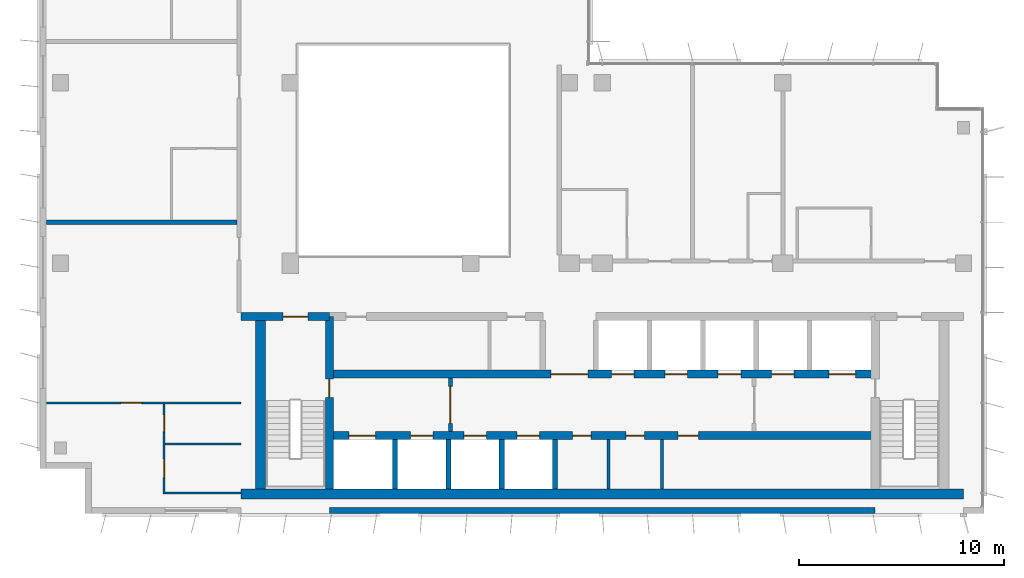
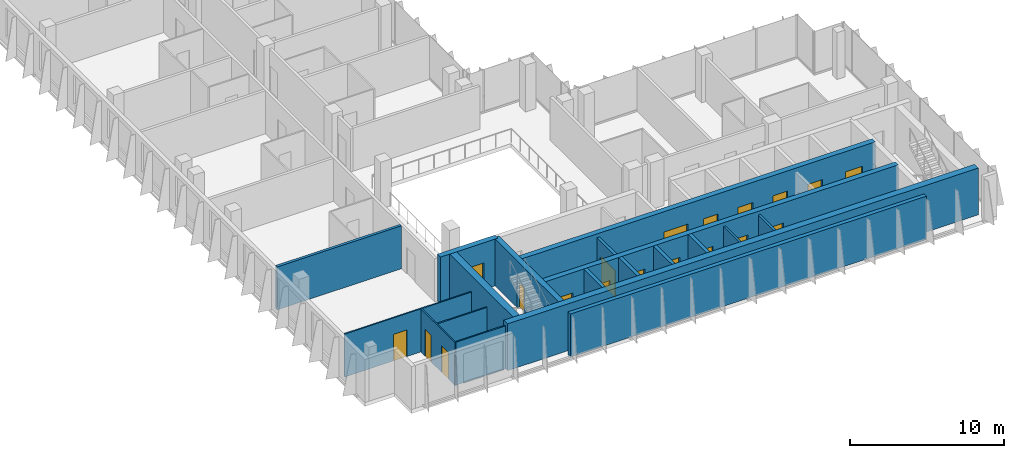
# One storey, part 9 of 16: 19 doors, 19 walls, 19 openings.
"""IFC4 building model written with IfcOpenShell, lengths in metres."""

import ifcopenshell
import ifcopenshell.guid

model = None  # the IFC model being written
_history = None  # IfcOwnerHistory: only IFC2X3 demands one
_inside = {}  # id of a spatial element -> (the spatial element, [elements in it])
_under = {}  # id of a project, library or spatial element -> (it, [spatial elements below it])
_declared = {}  # id of a project -> (the project, [libraries it declares])
_typed = {}  # id of a type object -> (the type object, [elements of that type])
_made_of = {}  # id of a material, layer set ... -> (it, [elements and type objects made of it])


def new_model(schema):
    """Start an empty IFC model of exactly this schema.

    Asked for "IFC4X3", IfcOpenShell would pick the latest addendum, in which some entities
    have other attributes; the version numbers below select the first issue.
    IFC2X3 requires an IfcOwnerHistory on every rooted entity: one is made here for all.
    """
    global model, _history
    if schema == "IFC4X3":
        model = ifcopenshell.file(schema_version=(4, 3, 0, 0))
    else:
        model = ifcopenshell.file(schema=schema)
    _inside.clear()
    _under.clear()
    _declared.clear()
    _typed.clear()
    _made_of.clear()
    _history = None
    if model.schema == "IFC2X3":
        org = make("IfcOrganization", Name="unknown")
        user = make(
            "IfcPersonAndOrganization",
            ThePerson=make("IfcPerson", FamilyName="unknown"),
            TheOrganization=org,
        )
        app = make(
            "IfcApplication",
            ApplicationDeveloper=org,
            Version="unknown",
            ApplicationFullName="unknown",
            ApplicationIdentifier="unknown",
        )
        _history = make(
            "IfcOwnerHistory",
            OwningUser=user,
            OwningApplication=app,
            ChangeAction="ADDED",
            CreationDate=0,
        )
    return model


def make(cls, **values):
    """One entity of the class cls with the attributes given. An attribute that is None is left unset."""
    return model.create_entity(
        cls, **{name: value for name, value in values.items() if value is not None}
    )


def rooted(cls, **values):
    """An entity with a GlobalId (a new one), such as an element, a storey or a relation."""
    return make(cls, GlobalId=ifcopenshell.guid.new(), OwnerHistory=_history, **values)


def si_unit(unit_type, name, prefix=None):
    """IfcSIUnit, for example si_unit("LENGTHUNIT", "METRE", prefix="MILLI")."""
    return make("IfcSIUnit", UnitType=unit_type, Prefix=prefix, Name=name)


def assignment(units):
    """IfcUnitAssignment: the units of a project."""
    return None if units is None else make("IfcUnitAssignment", Units=units)


def point(xyz):
    """IfcCartesianPoint."""
    return None if xyz is None else make("IfcCartesianPoint", Coordinates=xyz)


def direction(xyz):
    """IfcDirection."""
    return None if xyz is None else make("IfcDirection", DirectionRatios=xyz)


def frame(location, z_axis=None, x_axis=None):
    """IfcAxis2Placement3D, a coordinate frame: its origin and axes. An axis left out is left unset."""
    return make(
        "IfcAxis2Placement3D",
        Location=point(location),
        Axis=direction(z_axis),
        RefDirection=direction(x_axis),
    )


def frame_2d(location, x_axis=None):
    """IfcAxis2Placement2D, a coordinate frame in the plane: its origin and x axis."""
    return make(
        "IfcAxis2Placement2D", Location=point(location), RefDirection=direction(x_axis)
    )


def origin():
    """The frame at (0, 0, 0) with its axes left unset."""
    return frame((0.0, 0.0, 0.0))


def place(relative_to, where):
    """IfcLocalPlacement: puts the frame where relative to a parent placement (None: the world)."""
    return make(
        "IfcLocalPlacement", PlacementRelTo=relative_to, RelativePlacement=where
    )


def context(
    kind, dimensions, precision=None, world=None, true_north=None, identifier=None
):
    """IfcGeometricRepresentationContext, for example the 3D "Model" context."""
    return make(
        "IfcGeometricRepresentationContext",
        ContextIdentifier=identifier,
        ContextType=kind,
        CoordinateSpaceDimension=dimensions,
        Precision=precision,
        WorldCoordinateSystem=world,
        TrueNorth=true_north,
    )


def subcontext(parent, identifier, kind, view, scale=None):
    """IfcGeometricRepresentationSubContext, for example "Body" below "Model"."""
    return make(
        "IfcGeometricRepresentationSubContext",
        ContextIdentifier=identifier,
        ContextType=kind,
        ParentContext=parent,
        TargetScale=scale,
        TargetView=view,
    )


def project(units=None, contexts=None):
    """IfcProject with its units and contexts."""
    return rooted(
        "IfcProject",
        Name="project",
        RepresentationContexts=contexts,
        UnitsInContext=assignment(units),
    )


def spatial(cls, under=None, at=None, **own):
    """A site, building, storey or space (cls), placed at a placement, below another one or the project."""
    s = rooted(cls, ObjectPlacement=at, **own)
    if under is not None:
        _under.setdefault(under.id(), (under, []))[1].append(s)
    return s


def profile(cls, at=None, kind="AREA", **sizes):
    """A parametric profile (cls). Its sizes go by their IFC names, for example OverallWidth=200.0."""
    return make(cls, ProfileType=kind, Position=at, **sizes)


def rectangle(**sizes):
    """IfcRectangleProfileDef."""
    return profile("IfcRectangleProfileDef", **sizes)


def extrude(swept, where, along, depth):
    """IfcExtrudedAreaSolid: the profile swept, set in the frame where, extruded along a direction by depth."""
    return make(
        "IfcExtrudedAreaSolid",
        SweptArea=swept,
        Position=where,
        ExtrudedDirection=direction(along),
        Depth=depth,
    )


def shape(context_of_items, identifier, shape_type, items):
    """IfcShapeRepresentation: the items that make up one representation, for example the "Body"."""
    return make(
        "IfcShapeRepresentation",
        ContextOfItems=context_of_items,
        RepresentationIdentifier=identifier,
        RepresentationType=shape_type,
        Items=items,
    )


def material(Name=None, Category=None):
    """IfcMaterial."""
    return make("IfcMaterial", Name=Name, Category=Category)


def layer(
    of_material, thickness, ventilated=None, Name=None, Category=None, Priority=None
):
    """IfcMaterialLayer: one layer of a wall or slab, of a material (None: an air gap)."""
    return make(
        "IfcMaterialLayer",
        Material=of_material,
        LayerThickness=thickness,
        IsVentilated=ventilated,
        Name=Name,
        Category=Category,
        Priority=Priority,
    )


def layer_set(layers, Name=None):
    """IfcMaterialLayerSet."""
    return make("IfcMaterialLayerSet", MaterialLayers=layers, LayerSetName=Name)


def made_of(thing, what):
    """Note that an element or type object is made of a material, layer set ...; save() writes the relation."""
    if what is not None:
        _made_of.setdefault(what.id(), (what, []))[1].append(thing)
    return thing


def type_object(cls, material=None, **own):
    """A type object (cls), such as IfcWallType, which elements share."""
    return made_of(rooted(cls, **own), material)


def element(
    cls,
    number,
    at=None,
    inside=None,
    cuts=None,
    type_object=None,
    material=None,
    context=None,
    identifier="Body",
    shape_type=None,
    held_by="IfcProductDefinitionShape",
    body=None,
    shapes=None,
    **own,
):
    """One element of the class cls, such as IfcWall. Its Tag is "e" and its number.

    at: its placement. inside: the storey or other place that contains it. cuts: it is an
    opening in that element (IfcRelVoidsElement). A single representation is given by context,
    identifier, shape_type and body (its items); several are given by shapes. held_by: the class
    of the entity that holds the representations. save() writes the other relations.
    """
    e = rooted(cls, Tag="e%d" % number, ObjectPlacement=at, **own)
    if body is not None:
        shapes = [shape(context, identifier, shape_type, body)]
    if shapes is not None:
        e.Representation = make(held_by, Representations=shapes)
    if inside is not None:
        _inside.setdefault(inside.id(), (inside, []))[1].append(e)
    if cuts is not None:
        rooted(
            "IfcRelVoidsElement", RelatingBuildingElement=cuts, RelatedOpeningElement=e
        )
    if type_object is not None:
        _typed.setdefault(type_object.id(), (type_object, []))[1].append(e)
    return made_of(e, material)


def fill(opening, filler):
    """IfcRelFillsElement: the door or window that sits in an opening."""
    return rooted(
        "IfcRelFillsElement",
        RelatingOpeningElement=opening,
        RelatedBuildingElement=filler,
    )


def aggregate(whole, parts):
    """IfcRelAggregates: a whole, such as a stair, and the parts it consists of."""
    return rooted("IfcRelAggregates", RelatingObject=whole, RelatedObjects=parts)


def save(model, path):
    """Write the relations noted so far, then the file.

    IfcRelAggregates (storeys below a building ...), IfcRelContainedInSpatialStructure (elements
    in a storey), IfcRelDefinesByType, IfcRelAssociatesMaterial and IfcRelDeclares: one each for
    every whole, place, type object, material and project.
    """
    for whole, parts in _under.values():
        aggregate(whole, parts)
    for where, things in _inside.values():
        rooted(
            "IfcRelContainedInSpatialStructure",
            RelatedElements=things,
            RelatingStructure=where,
        )
    for kind, things in _typed.values():
        rooted("IfcRelDefinesByType", RelatedObjects=things, RelatingType=kind)
    for what, things in _made_of.values():
        rooted("IfcRelAssociatesMaterial", RelatedObjects=things, RelatingMaterial=what)
    for by, libraries in _declared.values():
        rooted("IfcRelDeclares", RelatingContext=by, RelatedDefinitions=libraries)
    model.write(path)


model = new_model("IFC4")

# Units and contexts
model_context = context("Model", 3, precision=1e-05, world=origin(), true_north=direction((0.0, 1.0)))
body_context = subcontext(model_context, "Body", "Model", "MODEL_VIEW")
ifc_project = project(units=[si_unit("LENGTHUNIT", "METRE"), si_unit("AREAUNIT", "SQUARE_METRE"), si_unit("VOLUMEUNIT", "CUBIC_METRE"), si_unit("PLANEANGLEUNIT", "RADIAN"), si_unit("MASSUNIT", "GRAM", prefix="KILO")], contexts=[model_context])

# Site, building, storey
site_placement = place(None, origin())
site = spatial("IfcSite", under=ifc_project, at=site_placement, CompositionType="ELEMENT")
building_placement = place(site_placement, origin())
building = spatial("IfcBuilding", under=site, at=building_placement, Name="Kemantara Hotel Tower", CompositionType="ELEMENT")
storey_placement = place(building_placement, frame((0.0, 0.0, 272.199951171875)))
storey = spatial("IfcBuildingStorey", under=building, at=storey_placement, Name="L68", CompositionType="ELEMENT", Elevation=272.199951171875)

# Walls
ifc_material_1 = material(Name="Bronze anodised aluminium cladding on insulated steel stud wall", Category="steel")
ifc_layer_1 = layer(ifc_material_1, 0.300048828125)
ifc_layer_set_1 = layer_set([ifc_layer_1], Name="Bronze anodised aluminium cladding on insulated steel stud wall")
wall_type_1 = type_object("IfcWallType", Name="BRONZE METAL-CLAD EXTERNAL WALL 300", PredefinedType="STANDARD", material=ifc_layer_set_1)
wall_1_placement = place(storey_placement, frame((14.10009765625, 0.14990234375, 0.0), z_axis=(0.0, 0.0, 1.0), x_axis=(1.0, 0.0, 0.0)))
element("IfcWall", 1, at=wall_1_placement, inside=storey, type_object=wall_type_1, Name="EXTERNAL WALL L68 T4-R08-2", PredefinedType="STANDARD", context=body_context, shape_type="SweptSolid", body=[
    extrude(rectangle(XDim=26.599853515625, YDim=0.300048828125, at=frame_2d((13.2998046875, 0.0))), origin(), (0.0, 0.0, 1.0), 3.400146484375),
])
ifc_material_2 = material(Name="Concrete fc 50 MPa", Category="concrete")
ifc_layer_2 = layer(ifc_material_2, 0.25)
ifc_layer_set_2 = layer_set([ifc_layer_2], Name="Concrete fc 50 MPa")
wall_type_2 = type_object("IfcWallType", Name="CORE WALL 250 FC50", PredefinedType="SHEAR", material=ifc_layer_set_2)
for number, where, z_axis, x_axis, name in (
    (2, (17.300048828125, 1.199951171875, 0.0), (0.0, 0.0, 1.0), (0.0, 1.0, 0.0), "CORE WALL CW-DS17.3"),
    (3, (19.89990234375, 1.199951171875, 0.0), (0.0, 0.0, 1.0), (0.0, 1.0, 0.0), "CORE WALL CW-DS19.9"),
    (4, (22.5, 1.199951171875, 0.0), (0.0, 0.0, 1.0), (0.0, 1.0, 0.0), "CORE WALL CW-DS22.5"),
    (5, (25.10009765625, 1.199951171875, 0.0), (0.0, 0.0, 1.0), (0.0, 1.0, 0.0), "CORE WALL CW-DS25.1"),
):
    element("IfcWall", number, at=place(storey_placement, frame(where, z_axis=z_axis, x_axis=x_axis)), inside=storey, type_object=wall_type_2, Name=name, PredefinedType="SHEAR", context=body_context, shape_type="SweptSolid", body=[
        extrude(rectangle(XDim=2.400146484375, YDim=0.25, at=frame_2d((1.2001953125, 0.0))), origin(), (0.0, 0.0, 1.0), 3.699951171875),
    ])

# Wall, opening, door
ifc_layer_3 = layer(ifc_material_2, 0.39990234375)
ifc_layer_set_3 = layer_set([ifc_layer_3], Name="Concrete fc 50 MPa")
wall_type_3 = type_object("IfcWallType", Name="CORE WALL 400 FC50", PredefinedType="SHEAR", material=ifc_layer_set_3)
wall_2_placement = place(storey_placement, frame((9.800048828125, 9.60009765625, 0.0), z_axis=(0.0, 0.0, 1.0), x_axis=(1.0, 0.0, 0.0)))
wall_2 = element("IfcWall", 6, at=wall_2_placement, inside=storey, type_object=wall_type_3, Name="CORE WALL CW-N1", PredefinedType="SHEAR", context=body_context, shape_type="SweptSolid", body=[
    extrude(rectangle(XDim=4.300048828125, YDim=0.39990234375, at=frame_2d((2.14990234375, 0.0))), origin(), (0.0, 0.0, 1.0), 3.699951171875),
])
opening_1_placement = place(wall_2_placement, frame((2.050048828125, 0.0, 0.0)))
opening_1 = element("IfcOpeningElement", 7, at=opening_1_placement, cuts=wall_2, Name="Opening C40-ST1-C", PredefinedType="OPENING", context=body_context, shape_type="SweptSolid", body=[
    extrude(rectangle(XDim=1.199951171875, YDim=2.10009765625, at=frame_2d((0.60009765625, 1.050048828125))), frame((0.0, 0.2099609375, 0.0), z_axis=(0.0, -1.0, 0.0), x_axis=(1.0, 0.0, 0.0)), (0.0, 0.0, 1.0), 0.419921875),
])
ifc_material_3 = material(Name="Steel fire door", Category="steel")
door_type_1 = type_object("IfcDoorType", Name="Fire door FD90 1200 x 2100", OperationType="NOTDEFINED", PredefinedType="DOOR", material=ifc_material_3)
door_1_placement = place(opening_1_placement, frame((1.199951171875, 0.0, 0.0), z_axis=(0.0, 0.0, 1.0), x_axis=(-1.0, 0.0, 0.0)))
door_1 = element("IfcDoor", 8, at=door_1_placement, inside=storey, type_object=door_type_1, Name="Stair ST1 door to corridor", OperationType="SINGLE_SWING_LEFT", OverallHeight=2.10009765625, OverallWidth=1.199951171875, PredefinedType="DOOR", context=body_context, shape_type="SweptSolid", body=[
    extrude(rectangle(XDim=1.199951171875, YDim=2.10009765625, at=frame_2d((0.60009765625, 1.050048828125))), frame((0.0, 0.02490234375, 0.0), z_axis=(0.0, -1.0, 0.0), x_axis=(1.0, 0.0, 0.0)), (0.0, 0.0, 1.0), 0.050048828125),
])
fill(opening_1, door_1)

# Wall, openings, doors
wall_3_placement = place(storey_placement, frame((14.10009765625, 3.800048828125, 0.0), z_axis=(0.0, 0.0, 1.0), x_axis=(1.0, 0.0, 0.0)))
wall_3 = element("IfcWall", 9, at=wall_3_placement, inside=storey, type_object=wall_type_3, Name="CORE WALL CW-L1", PredefinedType="SHEAR", context=body_context, shape_type="SweptSolid", body=[
    extrude(rectangle(XDim=26.599853515625, YDim=0.39990234375, at=frame_2d((13.2998046875, 0.0))), origin(), (0.0, 0.0, 1.0), 3.699951171875),
])
opening_2_placement = place(wall_3_placement, frame((0.949951171875, 0.0, 0.0)))
opening_2 = element("IfcOpeningElement", 10, at=opening_2_placement, cuts=wall_3, Name="Opening C40-LD-FF1", PredefinedType="OPENING", context=body_context, shape_type="SweptSolid", body=[
    extrude(rectangle(XDim=1.300048828125, YDim=2.10009765625, at=frame_2d((0.64990234375, 1.050048828125))), frame((0.0, 0.2099609375, 0.0), z_axis=(0.0, -1.0, 0.0), x_axis=(1.0, 0.0, 0.0)), (0.0, 0.0, 1.0), 0.419921875),
])
opening_3_placement = place(wall_3_placement, frame((3.949951171875, 0.0, 0.0)))
opening_3 = element("IfcOpeningElement", 11, at=opening_3_placement, cuts=wall_3, Name="Opening C40-LD-SV1", PredefinedType="OPENING", context=body_context, shape_type="SweptSolid", body=[
    extrude(rectangle(XDim=1.10009765625, YDim=2.10009765625, at=frame_2d((0.550048828125, 1.050048828125))), frame((0.0, 0.2099609375, 0.0), z_axis=(0.0, -1.0, 0.0), x_axis=(1.0, 0.0, 0.0)), (0.0, 0.0, 1.0), 0.419921875),
])
opening_4_placement = place(wall_3_placement, frame((6.550048828125, 0.0, 0.0)))
opening_4 = element("IfcOpeningElement", 12, at=opening_4_placement, cuts=wall_3, Name="Opening C40-LD-SV2", PredefinedType="OPENING", context=body_context, shape_type="SweptSolid", body=[
    extrude(rectangle(XDim=1.10009765625, YDim=2.10009765625, at=frame_2d((0.550048828125, 1.050048828125))), frame((0.0, 0.2099609375, 0.0), z_axis=(0.0, -1.0, 0.0), x_axis=(1.0, 0.0, 0.0)), (0.0, 0.0, 1.0), 0.419921875),
])
opening_5_placement = place(wall_3_placement, frame((9.14990234375, 0.0, 0.0)))
opening_5 = element("IfcOpeningElement", 13, at=opening_5_placement, cuts=wall_3, Name="Opening C40-LD-SV3", PredefinedType="OPENING", context=body_context, shape_type="SweptSolid", body=[
    extrude(rectangle(XDim=1.10009765625, YDim=2.10009765625, at=frame_2d((0.550048828125, 1.050048828125))), frame((0.0, 0.2099609375, 0.0), z_axis=(0.0, -1.0, 0.0), x_axis=(1.0, 0.0, 0.0)), (0.0, 0.0, 1.0), 0.419921875),
])
opening_6_placement = place(wall_3_placement, frame((11.85009765625, 0.0, 0.0)))
opening_6 = element("IfcOpeningElement", 14, at=opening_6_placement, cuts=wall_3, Name="Opening C40-R-SM1", PredefinedType="OPENING", context=body_context, shape_type="SweptSolid", body=[
    extrude(rectangle(XDim=0.89990234375, YDim=2.10009765625, at=frame_2d((0.449951171875, 1.050048828125))), frame((0.0, 0.2099609375, 0.0), z_axis=(0.0, -1.0, 0.0), x_axis=(1.0, 0.0, 0.0)), (0.0, 0.0, 1.0), 0.419921875),
])
opening_7_placement = place(wall_3_placement, frame((14.449951171875, 0.0, 0.0)))
opening_7 = element("IfcOpeningElement", 15, at=opening_7_placement, cuts=wall_3, Name="Opening C40-R-SM2", PredefinedType="OPENING", context=body_context, shape_type="SweptSolid", body=[
    extrude(rectangle(XDim=0.89990234375, YDim=2.10009765625, at=frame_2d((0.449951171875, 1.050048828125))), frame((0.0, 0.2099609375, 0.0), z_axis=(0.0, -1.0, 0.0), x_axis=(1.0, 0.0, 0.0)), (0.0, 0.0, 1.0), 0.419921875),
])
opening_8_placement = place(wall_3_placement, frame((17.0, 0.0, 0.0)))
opening_8 = element("IfcOpeningElement", 16, at=opening_8_placement, cuts=wall_3, Name="Opening C40-R-SM3", PredefinedType="OPENING", context=body_context, shape_type="SweptSolid", body=[
    extrude(rectangle(XDim=1.0, YDim=2.10009765625, at=frame_2d((0.5, 1.050048828125))), frame((0.0, 0.2099609375, 0.0), z_axis=(0.0, -1.0, 0.0), x_axis=(1.0, 0.0, 0.0)), (0.0, 0.0, 1.0), 0.419921875),
])
door_type_2 = type_object("IfcDoorType", Name="Fire door FD30S 1000 x 2100", OperationType="NOTDEFINED", PredefinedType="DOOR", material=ifc_material_3)
door_2_placement = place(opening_8_placement, frame((1.0, 0.0, 0.0), z_axis=(0.0, 0.0, 1.0), x_axis=(-1.0, 0.0, 0.0)))
door_2 = element("IfcDoor", 17, at=door_2_placement, inside=storey, type_object=door_type_2, Name="Guest Pantry door", OperationType="SINGLE_SWING_LEFT", OverallHeight=2.10009765625, OverallWidth=1.0, PredefinedType="DOOR", context=body_context, shape_type="SweptSolid", body=[
    extrude(rectangle(XDim=1.0, YDim=2.10009765625, at=frame_2d((0.5, 1.050048828125))), frame((0.0, 0.02490234375, 0.0), z_axis=(0.0, -1.0, 0.0), x_axis=(1.0, 0.0, 0.0)), (0.0, 0.0, 1.0), 0.050048828125),
])
fill(opening_8, door_2)
door_type_3 = type_object("IfcDoorType", Name="Fire door FD30S 900 x 2100", OperationType="NOTDEFINED", PredefinedType="DOOR", material=ifc_material_3)
door_3_placement = place(opening_7_placement, frame((0.89990234375, 0.0, 0.0), z_axis=(0.0, 0.0, 1.0), x_axis=(-1.0, 0.0, 0.0)))
door_3 = element("IfcDoor", 18, at=door_3_placement, inside=storey, type_object=door_type_3, Name="Staff Wc door", OperationType="SINGLE_SWING_LEFT", OverallHeight=2.10009765625, OverallWidth=0.89990234375, PredefinedType="DOOR", context=body_context, shape_type="SweptSolid", body=[
    extrude(rectangle(XDim=0.89990234375, YDim=2.10009765625, at=frame_2d((0.449951171875, 1.050048828125))), frame((0.0, 0.02490234375, 0.0), z_axis=(0.0, -1.0, 0.0), x_axis=(1.0, 0.0, 0.0)), (0.0, 0.0, 1.0), 0.050048828125),
])
fill(opening_7, door_3)
door_type_4 = type_object("IfcDoorType", Name="Fire door FD60 900 x 2100", OperationType="NOTDEFINED", PredefinedType="DOOR", material=ifc_material_3)
door_4_placement = place(opening_6_placement, frame((0.89990234375, 0.0, 0.0), z_axis=(0.0, 0.0, 1.0), x_axis=(-1.0, 0.0, 0.0)))
door_4 = element("IfcDoor", 19, at=door_4_placement, inside=storey, type_object=door_type_4, Name="Electrical Riser Room door", OperationType="SINGLE_SWING_RIGHT", OverallHeight=2.10009765625, OverallWidth=0.89990234375, PredefinedType="DOOR", context=body_context, shape_type="SweptSolid", body=[
    extrude(rectangle(XDim=0.89990234375, YDim=2.10009765625, at=frame_2d((0.449951171875, 1.050048828125))), frame((0.0, 0.02490234375, 0.0), z_axis=(0.0, -1.0, 0.0), x_axis=(1.0, 0.0, 0.0)), (0.0, 0.0, 1.0), 0.050048828125),
])
fill(opening_6, door_4)
ifc_material_4 = material(Name="Stainless steel lift door", Category="steel")
door_type_5 = type_object("IfcDoorType", Name="Lift landing door 1100 x 2100 FD60", OperationType="DOUBLE_DOOR_SLIDING", PredefinedType="DOOR", material=ifc_material_4)
door_5_placement = place(opening_3_placement, origin())
door_5 = element("IfcDoor", 20, at=door_5_placement, inside=storey, type_object=door_type_5, Name="Lift SV1 landing door", OperationType="DOUBLE_DOOR_SLIDING", OverallHeight=2.10009765625, OverallWidth=1.10009765625, PredefinedType="DOOR", context=body_context, shape_type="SweptSolid", body=[
    extrude(rectangle(XDim=1.10009765625, YDim=2.10009765625, at=frame_2d((0.550048828125, 1.050048828125))), frame((0.0, 0.02490234375, 0.0), z_axis=(0.0, -1.0, 0.0), x_axis=(1.0, 0.0, 0.0)), (0.0, 0.0, 1.0), 0.050048828125),
])
fill(opening_3, door_5)
door_6_placement = place(opening_4_placement, origin())
door_6 = element("IfcDoor", 21, at=door_6_placement, inside=storey, type_object=door_type_5, Name="Lift SV2 landing door", OperationType="DOUBLE_DOOR_SLIDING", OverallHeight=2.10009765625, OverallWidth=1.10009765625, PredefinedType="DOOR", context=body_context, shape_type="SweptSolid", body=[
    extrude(rectangle(XDim=1.10009765625, YDim=2.10009765625, at=frame_2d((0.550048828125, 1.050048828125))), frame((0.0, 0.02490234375, 0.0), z_axis=(0.0, -1.0, 0.0), x_axis=(1.0, 0.0, 0.0)), (0.0, 0.0, 1.0), 0.050048828125),
])
fill(opening_4, door_6)
door_7_placement = place(opening_5_placement, origin())
door_7 = element("IfcDoor", 22, at=door_7_placement, inside=storey, type_object=door_type_5, Name="Lift SV3 landing door", OperationType="DOUBLE_DOOR_SLIDING", OverallHeight=2.10009765625, OverallWidth=1.10009765625, PredefinedType="DOOR", context=body_context, shape_type="SweptSolid", body=[
    extrude(rectangle(XDim=1.10009765625, YDim=2.10009765625, at=frame_2d((0.550048828125, 1.050048828125))), frame((0.0, 0.02490234375, 0.0), z_axis=(0.0, -1.0, 0.0), x_axis=(1.0, 0.0, 0.0)), (0.0, 0.0, 1.0), 0.050048828125),
])
fill(opening_5, door_7)
door_type_6 = type_object("IfcDoorType", Name="Lift landing door 1300 x 2100 FD90", OperationType="DOUBLE_DOOR_SLIDING", PredefinedType="DOOR", material=ifc_material_4)
door_8_placement = place(opening_2_placement, origin())
door_8 = element("IfcDoor", 23, at=door_8_placement, inside=storey, type_object=door_type_6, Name="Lift FF1 landing door", OperationType="DOUBLE_DOOR_SLIDING", OverallHeight=2.10009765625, OverallWidth=1.300048828125, PredefinedType="DOOR", context=body_context, shape_type="SweptSolid", body=[
    extrude(rectangle(XDim=1.300048828125, YDim=2.10009765625, at=frame_2d((0.64990234375, 1.050048828125))), frame((0.0, 0.02490234375, 0.0), z_axis=(0.0, -1.0, 0.0), x_axis=(1.0, 0.0, 0.0)), (0.0, 0.0, 1.0), 0.050048828125),
])
fill(opening_2, door_8)

wall_4_placement = place(storey_placement, frame((14.10009765625, 6.800048828125, 0.0), z_axis=(0.0, 0.0, 1.0), x_axis=(1.0, 0.0, 0.0)))
wall_4 = element("IfcWall", 24, at=wall_4_placement, inside=storey, type_object=wall_type_3, Name="CORE WALL CW-L2", PredefinedType="SHEAR", context=body_context, shape_type="SweptSolid", body=[
    extrude(rectangle(XDim=26.599853515625, YDim=0.39990234375, at=frame_2d((13.2998046875, 0.0))), origin(), (0.0, 0.0, 1.0), 3.699951171875),
])
opening_9_placement = place(wall_4_placement, frame((10.800048828125, 0.0, 0.0)))
opening_9 = element("IfcOpeningElement", 25, at=opening_9_placement, cuts=wall_4, Name="Opening C40-VL", PredefinedType="OPENING", context=body_context, shape_type="SweptSolid", body=[
    extrude(rectangle(XDim=1.800048828125, YDim=2.10009765625, at=frame_2d((0.89990234375, 1.050048828125))), frame((0.0, 0.2099609375, 0.0), z_axis=(0.0, -1.0, 0.0), x_axis=(1.0, 0.0, 0.0)), (0.0, 0.0, 1.0), 0.419921875),
])
opening_10_placement = place(wall_4_placement, frame((13.75, 0.0, 0.0)))
opening_10 = element("IfcOpeningElement", 26, at=opening_10_placement, cuts=wall_4, Name="Opening C40-LD-HR1", PredefinedType="OPENING", context=body_context, shape_type="SweptSolid", body=[
    extrude(rectangle(XDim=1.10009765625, YDim=2.10009765625, at=frame_2d((0.550048828125, 1.050048828125))), frame((0.0, 0.2099609375, 0.0), z_axis=(0.0, -1.0, 0.0), x_axis=(1.0, 0.0, 0.0)), (0.0, 0.0, 1.0), 0.419921875),
])
opening_11_placement = place(wall_4_placement, frame((16.35009765625, 0.0, 0.0)))
opening_11 = element("IfcOpeningElement", 27, at=opening_11_placement, cuts=wall_4, Name="Opening C40-LD-HR2", PredefinedType="OPENING", context=body_context, shape_type="SweptSolid", body=[
    extrude(rectangle(XDim=1.10009765625, YDim=2.10009765625, at=frame_2d((0.550048828125, 1.050048828125))), frame((0.0, 0.2099609375, 0.0), z_axis=(0.0, -1.0, 0.0), x_axis=(1.0, 0.0, 0.0)), (0.0, 0.0, 1.0), 0.419921875),
])
opening_12_placement = place(wall_4_placement, frame((18.949951171875, 0.0, 0.0)))
opening_12 = element("IfcOpeningElement", 28, at=opening_12_placement, cuts=wall_4, Name="Opening C40-LD-HR3", PredefinedType="OPENING", context=body_context, shape_type="SweptSolid", body=[
    extrude(rectangle(XDim=1.10009765625, YDim=2.10009765625, at=frame_2d((0.550048828125, 1.050048828125))), frame((0.0, 0.2099609375, 0.0), z_axis=(0.0, -1.0, 0.0), x_axis=(1.0, 0.0, 0.0)), (0.0, 0.0, 1.0), 0.419921875),
])
opening_13_placement = place(wall_4_placement, frame((21.550048828125, 0.0, 0.0)))
opening_13 = element("IfcOpeningElement", 29, at=opening_13_placement, cuts=wall_4, Name="Opening C40-LD-HR4", PredefinedType="OPENING", context=body_context, shape_type="SweptSolid", body=[
    extrude(rectangle(XDim=1.10009765625, YDim=2.10009765625, at=frame_2d((0.550048828125, 1.050048828125))), frame((0.0, 0.2099609375, 0.0), z_axis=(0.0, -1.0, 0.0), x_axis=(1.0, 0.0, 0.0)), (0.0, 0.0, 1.0), 0.419921875),
])
opening_14_placement = place(wall_4_placement, frame((24.35009765625, 0.0, 0.0)))
opening_14 = element("IfcOpeningElement", 30, at=opening_14_placement, cuts=wall_4, Name="Opening C40-LD-FF2", PredefinedType="OPENING", context=body_context, shape_type="SweptSolid", body=[
    extrude(rectangle(XDim=1.300048828125, YDim=2.10009765625, at=frame_2d((0.64990234375, 1.050048828125))), frame((0.0, 0.2099609375, 0.0), z_axis=(0.0, -1.0, 0.0), x_axis=(1.0, 0.0, 0.0)), (0.0, 0.0, 1.0), 0.419921875),
])
door_type_7 = type_object("IfcDoorType", Name="Fire door pair FD60 1800 x 2100", OperationType="DOUBLE_DOOR_SINGLE_SWING", PredefinedType="DOOR", material=ifc_material_3)
door_9_placement = place(opening_9_placement, frame((1.800048828125, 0.0, 0.0), z_axis=(0.0, 0.0, 1.0), x_axis=(-1.0, 0.0, 0.0)))
door_9 = element("IfcDoor", 31, at=door_9_placement, inside=storey, type_object=door_type_7, Name="Lift lobby entry door", OperationType="DOUBLE_DOOR_SINGLE_SWING", OverallHeight=2.10009765625, OverallWidth=1.800048828125, PredefinedType="DOOR", context=body_context, shape_type="SweptSolid", body=[
    extrude(rectangle(XDim=1.800048828125, YDim=2.10009765625, at=frame_2d((0.89990234375, 1.050048828125))), frame((0.0, 0.02490234375, 0.0), z_axis=(0.0, -1.0, 0.0), x_axis=(1.0, 0.0, 0.0)), (0.0, 0.0, 1.0), 0.050048828125),
])
fill(opening_9, door_9)
door_10_placement = place(opening_10_placement, origin())
door_10 = element("IfcDoor", 32, at=door_10_placement, inside=storey, type_object=door_type_5, Name="Lift HR1 landing door", OperationType="DOUBLE_DOOR_SLIDING", OverallHeight=2.10009765625, OverallWidth=1.10009765625, PredefinedType="DOOR", context=body_context, shape_type="SweptSolid", body=[
    extrude(rectangle(XDim=1.10009765625, YDim=2.10009765625, at=frame_2d((0.550048828125, 1.050048828125))), frame((0.0, 0.02490234375, 0.0), z_axis=(0.0, -1.0, 0.0), x_axis=(1.0, 0.0, 0.0)), (0.0, 0.0, 1.0), 0.050048828125),
])
fill(opening_10, door_10)
door_11_placement = place(opening_11_placement, origin())
door_11 = element("IfcDoor", 33, at=door_11_placement, inside=storey, type_object=door_type_5, Name="Lift HR2 landing door", OperationType="DOUBLE_DOOR_SLIDING", OverallHeight=2.10009765625, OverallWidth=1.10009765625, PredefinedType="DOOR", context=body_context, shape_type="SweptSolid", body=[
    extrude(rectangle(XDim=1.10009765625, YDim=2.10009765625, at=frame_2d((0.550048828125, 1.050048828125))), frame((0.0, 0.02490234375, 0.0), z_axis=(0.0, -1.0, 0.0), x_axis=(1.0, 0.0, 0.0)), (0.0, 0.0, 1.0), 0.050048828125),
])
fill(opening_11, door_11)
door_12_placement = place(opening_12_placement, origin())
door_12 = element("IfcDoor", 34, at=door_12_placement, inside=storey, type_object=door_type_5, Name="Lift HR3 landing door", OperationType="DOUBLE_DOOR_SLIDING", OverallHeight=2.10009765625, OverallWidth=1.10009765625, PredefinedType="DOOR", context=body_context, shape_type="SweptSolid", body=[
    extrude(rectangle(XDim=1.10009765625, YDim=2.10009765625, at=frame_2d((0.550048828125, 1.050048828125))), frame((0.0, 0.02490234375, 0.0), z_axis=(0.0, -1.0, 0.0), x_axis=(1.0, 0.0, 0.0)), (0.0, 0.0, 1.0), 0.050048828125),
])
fill(opening_12, door_12)
door_13_placement = place(opening_13_placement, origin())
door_13 = element("IfcDoor", 35, at=door_13_placement, inside=storey, type_object=door_type_5, Name="Lift HR4 landing door", OperationType="DOUBLE_DOOR_SLIDING", OverallHeight=2.10009765625, OverallWidth=1.10009765625, PredefinedType="DOOR", context=body_context, shape_type="SweptSolid", body=[
    extrude(rectangle(XDim=1.10009765625, YDim=2.10009765625, at=frame_2d((0.550048828125, 1.050048828125))), frame((0.0, 0.02490234375, 0.0), z_axis=(0.0, -1.0, 0.0), x_axis=(1.0, 0.0, 0.0)), (0.0, 0.0, 1.0), 0.050048828125),
])
fill(opening_13, door_13)
door_14_placement = place(opening_14_placement, origin())
door_14 = element("IfcDoor", 36, at=door_14_placement, inside=storey, type_object=door_type_6, Name="Lift FF2 landing door", OperationType="DOUBLE_DOOR_SLIDING", OverallHeight=2.10009765625, OverallWidth=1.300048828125, PredefinedType="DOOR", context=body_context, shape_type="SweptSolid", body=[
    extrude(rectangle(XDim=1.300048828125, YDim=2.10009765625, at=frame_2d((0.64990234375, 1.050048828125))), frame((0.0, 0.02490234375, 0.0), z_axis=(0.0, -1.0, 0.0), x_axis=(1.0, 0.0, 0.0)), (0.0, 0.0, 1.0), 0.050048828125),
])
fill(opening_14, door_14)

# Wall, opening, door
wall_5_placement = place(storey_placement, frame((14.10009765625, 1.199951171875, 0.0), z_axis=(0.0, 0.0, 1.0), x_axis=(0.0, 1.0, 0.0)))
wall_5 = element("IfcWall", 37, at=wall_5_placement, inside=storey, type_object=wall_type_3, Name="CORE WALL CW-ST1E", PredefinedType="SHEAR", context=body_context, shape_type="SweptSolid", body=[
    extrude(rectangle(XDim=8.400146484375, YDim=0.39990234375, at=frame_2d((4.2001953125, 0.0))), origin(), (0.0, 0.0, 1.0), 3.699951171875),
])
opening_15_placement = place(wall_5_placement, frame((4.449951171875, 0.0, 0.0)))
opening_15 = element("IfcOpeningElement", 38, at=opening_15_placement, cuts=wall_5, Name="Opening C40-ST1-F", PredefinedType="OPENING", context=body_context, shape_type="SweptSolid", body=[
    extrude(rectangle(XDim=0.89990234375, YDim=2.10009765625, at=frame_2d((0.449951171875, 1.050048828125))), frame((0.0, 0.2099609375, 0.0), z_axis=(0.0, -1.0, 0.0), x_axis=(1.0, 0.0, 0.0)), (0.0, 0.0, 1.0), 0.419921875),
])
door_type_8 = type_object("IfcDoorType", Name="Fire door FD90 900 x 2100", OperationType="NOTDEFINED", PredefinedType="DOOR", material=ifc_material_3)
door_15_placement = place(opening_15_placement, origin())
door_15 = element("IfcDoor", 39, at=door_15_placement, inside=storey, type_object=door_type_8, Name="Stair ST1 door to firefighting lobby", OperationType="SINGLE_SWING_RIGHT", OverallHeight=2.10009765625, OverallWidth=0.89990234375, PredefinedType="DOOR", context=body_context, shape_type="SweptSolid", body=[
    extrude(rectangle(XDim=0.89990234375, YDim=2.10009765625, at=frame_2d((0.449951171875, 1.050048828125))), frame((0.0, 0.02490234375, 0.0), z_axis=(0.0, -1.0, 0.0), x_axis=(1.0, 0.0, 0.0)), (0.0, 0.0, 1.0), 0.050048828125),
])
fill(opening_15, door_15)

# Walls
ifc_layer_4 = layer(ifc_material_2, 0.5)
ifc_layer_set_4 = layer_set([ifc_layer_4], Name="Concrete fc 50 MPa")
wall_type_4 = type_object("IfcWallType", Name="CORE WALL 500 FC50", PredefinedType="SHEAR", material=ifc_layer_set_4)
wall_6_placement = place(storey_placement, frame((9.800048828125, 0.949951171875, 0.0), z_axis=(0.0, 0.0, 1.0), x_axis=(1.0, 0.0, 0.0)))
element("IfcWall", 40, at=wall_6_placement, inside=storey, type_object=wall_type_4, Name="CORE WALL CW-S", PredefinedType="SHEAR", context=body_context, shape_type="SweptSolid", body=[
    extrude(rectangle(XDim=35.199951171875, YDim=0.5, at=frame_2d((17.60009765625, 0.0))), origin(), (0.0, 0.0, 1.0), 3.699951171875),
])
wall_7_placement = place(storey_placement, frame((10.75, 1.199951171875, 0.0), z_axis=(0.0, 0.0, 1.0), x_axis=(0.0, 1.0, 0.0)))
element("IfcWall", 41, at=wall_7_placement, inside=storey, type_object=wall_type_4, Name="CORE WALL CW-W", PredefinedType="SHEAR", context=body_context, shape_type="SweptSolid", body=[
    extrude(rectangle(XDim=8.60009765625, YDim=0.5, at=frame_2d((4.300048828125, 0.0))), origin(), (0.0, 0.0, 1.0), 3.699951171875),
])
ifc_material_5 = material(Name="Gypsum board partition, steel studs and mineral wool, 200 mm", Category="steel")
ifc_layer_5 = layer(ifc_material_5, 0.199951171875)
ifc_layer_set_5 = layer_set([ifc_layer_5], Name="Gypsum board partition, steel studs and mineral wool, 200 mm")
wall_type_5 = type_object("IfcWallType", Name="GUEST ROOM PARTY WALL 200", PredefinedType="PARTITIONING", material=ifc_layer_set_5)
wall_8_placement = place(storey_placement, frame((0.31005859375, 14.199951171875, 0.0), z_axis=(0.0, 0.0, 1.0), x_axis=(1.0, 0.0, 0.0)))
element("IfcWall", 42, at=wall_8_placement, inside=storey, type_object=wall_type_5, Name="GUEST ROOM PARTY WALL 200 009", PredefinedType="PARTITIONING", context=body_context, shape_type="SweptSolid", body=[
    extrude(rectangle(XDim=9.2900390625, YDim=0.199951171875, at=frame_2d((4.64501953125, 0.0))), origin(), (0.0, 0.0, 1.0), 3.400146484375),
])
ifc_material_6 = material(Name="Gypsum board partition")
ifc_layer_6 = layer(ifc_material_6, 0.14990234375)
ifc_layer_set_6 = layer_set([ifc_layer_6], Name="Gypsum board partition")
wall_type_6 = type_object("IfcWallType", Name="Gypsum board partition 150 mm", PredefinedType="PARTITIONING", material=ifc_layer_set_6)
for number, where, z_axis, x_axis, name in (
    (43, (27.699951171875, 1.199951171875, 0.0), (0.0, 0.0, 1.0), (0.0, 1.0, 0.0), "Core room partition"),
    (44, (30.300048828125, 1.199951171875, 0.0), (0.0, 0.0, 1.0), (0.0, 1.0, 0.0), "Core room partition"),
):
    element("IfcWall", number, at=place(storey_placement, frame(where, z_axis=z_axis, x_axis=x_axis)), inside=storey, type_object=wall_type_6, Name=name, PredefinedType="PARTITIONING", context=body_context, shape_type="SweptSolid", body=[
        extrude(rectangle(XDim=2.400146484375, YDim=0.14990234375, at=frame_2d((1.2001953125, 0.0))), origin(), (0.0, 0.0, 1.0), 3.400146484375),
    ])

# Wall, opening, door
ifc_material_7 = material(Name="Gypsum board shaft wall")
ifc_layer_7 = layer(ifc_material_7, 0.199951171875)
ifc_layer_set_7 = layer_set([ifc_layer_7], Name="Gypsum board shaft wall")
wall_type_7 = type_object("IfcWallType", Name="Gypsum board shaft wall 200 mm", PredefinedType="PARTITIONING", material=ifc_layer_set_7)
wall_9_placement = place(storey_placement, frame((20.0, 4.0, 0.0), z_axis=(0.0, 0.0, 1.0), x_axis=(0.0, 1.0, 0.0)))
wall_9 = element("IfcWall", 45, at=wall_9_placement, inside=storey, type_object=wall_type_7, Name="Firefighting lobby partition west", PredefinedType="PARTITIONING", context=body_context, shape_type="SweptSolid", body=[
    extrude(rectangle(XDim=2.60009765625, YDim=0.199951171875, at=frame_2d((1.300048828125, 0.0))), origin(), (0.0, 0.0, 1.0), 3.400146484375),
])
opening_16_placement = place(wall_9_placement, frame((0.39990234375, 0.0, 0.0)))
opening_16 = element("IfcOpeningElement", 46, at=opening_16_placement, cuts=wall_9, Name="Opening C40-FFW", PredefinedType="OPENING", context=body_context, shape_type="SweptSolid", body=[
    extrude(rectangle(XDim=1.800048828125, YDim=2.10009765625, at=frame_2d((0.89990234375, 1.050048828125))), frame((0.0, 0.10986328125, 0.0), z_axis=(0.0, -1.0, 0.0), x_axis=(1.0, 0.0, 0.0)), (0.0, 0.0, 1.0), 0.219970703125),
])
door_16_placement = place(opening_16_placement, origin())
door_16 = element("IfcDoor", 47, at=door_16_placement, inside=storey, type_object=door_type_7, Name="Firefighting lobby door west", OperationType="DOUBLE_DOOR_SINGLE_SWING", OverallHeight=2.10009765625, OverallWidth=1.800048828125, PredefinedType="DOOR", context=body_context, shape_type="SweptSolid", body=[
    extrude(rectangle(XDim=1.800048828125, YDim=2.10009765625, at=frame_2d((0.89990234375, 1.050048828125))), frame((0.0, 0.02490234375, 0.0), z_axis=(0.0, -1.0, 0.0), x_axis=(1.0, 0.0, 0.0)), (0.0, 0.0, 1.0), 0.050048828125),
])
fill(opening_16, door_16)

# Wall, openings, doors
ifc_material_8 = material(Name="Gypsum board partition on steel studs, 100 mm", Category="steel")
ifc_layer_8 = layer(ifc_material_8, 0.10009765625)
ifc_layer_set_8 = layer_set([ifc_layer_8], Name="Gypsum board partition on steel studs, 100 mm")
wall_type_8 = type_object("IfcWallType", Name="ROOM PARTITION 100", PredefinedType="PARTITIONING", material=ifc_layer_set_8)
wall_10_placement = place(storey_placement, frame((6.050048828125, 5.35009765625, 0.0), z_axis=(0.0, 0.0, 1.0), x_axis=(0.0, -1.0, 0.0)))
wall_10 = element("IfcWall", 48, at=wall_10_placement, inside=storey, type_object=wall_type_8, Name="ROOM PARTITION 100 032", PredefinedType="PARTITIONING", context=body_context, shape_type="SweptSolid", body=[
    extrude(rectangle(XDim=4.400146484375, YDim=0.10009765625, at=frame_2d((2.2001953125, 0.0))), origin(), (0.0, 0.0, 1.0), 3.400146484375),
])
opening_17_placement = place(wall_10_placement, frame((2.699951171875, 0.0, 0.0)))
opening_17 = element("IfcOpeningElement", 49, at=opening_17_placement, cuts=wall_10, Name="Opening F33-009", PredefinedType="OPENING", context=body_context, shape_type="SweptSolid", body=[
    extrude(rectangle(XDim=0.89990234375, YDim=2.10009765625, at=frame_2d((0.449951171875, 1.050048828125))), frame((0.0, 0.06005859375, 0.0), z_axis=(0.0, -1.0, 0.0), x_axis=(1.0, 0.0, 0.0)), (0.0, 0.0, 1.0), 0.1201171875),
])
opening_18_placement = place(wall_10_placement, frame((0.550048828125, 0.0, 0.0)))
opening_18 = element("IfcOpeningElement", 50, at=opening_18_placement, cuts=wall_10, Name="Opening F33-010", PredefinedType="OPENING", context=body_context, shape_type="SweptSolid", body=[
    extrude(rectangle(XDim=0.800048828125, YDim=2.10009765625, at=frame_2d((0.39990234375, 1.050048828125))), frame((0.0, 0.06005859375, 0.0), z_axis=(0.0, -1.0, 0.0), x_axis=(1.0, 0.0, 0.0)), (0.0, 0.0, 1.0), 0.1201171875),
])
ifc_material_9 = material(Name="Hardwood veneer door leaf with steel frame", Category="steel")
door_type_9 = type_object("IfcDoorType", Name="BATHROOM DOOR 900 X 2100", OperationType="NOTDEFINED", PredefinedType="DOOR", material=ifc_material_9)
door_17_placement = place(opening_17_placement, origin())
door_17 = element("IfcDoor", 51, at=door_17_placement, inside=storey, type_object=door_type_9, Name="BATHROOM DOOR F33-009", OperationType="SINGLE_SWING_LEFT", OverallHeight=2.10009765625, OverallWidth=0.89990234375, PredefinedType="DOOR", context=body_context, shape_type="SweptSolid", body=[
    extrude(rectangle(XDim=0.89990234375, YDim=2.10009765625, at=frame_2d((0.449951171875, 1.050048828125))), frame((0.0, 0.02490234375, 0.0), z_axis=(0.0, -1.0, 0.0), x_axis=(1.0, 0.0, 0.0)), (0.0, 0.0, 1.0), 0.050048828125),
])
fill(opening_17, door_17)
door_type_10 = type_object("IfcDoorType", Name="WARDROBE DOOR 800 X 2100", OperationType="NOTDEFINED", PredefinedType="DOOR", material=ifc_material_9)
door_18_placement = place(opening_18_placement, origin())
door_18 = element("IfcDoor", 52, at=door_18_placement, inside=storey, type_object=door_type_10, Name="WARDROBE DOOR F33-010", OperationType="SINGLE_SWING_LEFT", OverallHeight=2.10009765625, OverallWidth=0.800048828125, PredefinedType="DOOR", context=body_context, shape_type="SweptSolid", body=[
    extrude(rectangle(XDim=0.800048828125, YDim=2.10009765625, at=frame_2d((0.39990234375, 1.050048828125))), frame((0.0, 0.02490234375, 0.0), z_axis=(0.0, -1.0, 0.0), x_axis=(1.0, 0.0, 0.0)), (0.0, 0.0, 1.0), 0.050048828125),
])
fill(opening_18, door_18)

# Wall, opening, door
wall_11_placement = place(storey_placement, frame((9.7998046875, 5.39990234375, 0.0), z_axis=(0.0, 0.0, 1.0), x_axis=(-1.0, 0.0, 0.0)))
wall_11 = element("IfcWall", 53, at=wall_11_placement, inside=storey, type_object=wall_type_8, Name="ROOM PARTITION 100 033", PredefinedType="PARTITIONING", context=body_context, shape_type="SweptSolid", body=[
    extrude(rectangle(XDim=9.48974609375, YDim=0.10009765625, at=frame_2d((4.744873046875, 0.0))), origin(), (0.0, 0.0, 1.0), 3.400146484375),
])
opening_19_placement = place(wall_11_placement, frame((4.849853515625, 0.0, 0.0)))
opening_19 = element("IfcOpeningElement", 54, at=opening_19_placement, cuts=wall_11, Name="Opening F33-008", PredefinedType="OPENING", context=body_context, shape_type="SweptSolid", body=[
    extrude(rectangle(XDim=1.0, YDim=2.10009765625, at=frame_2d((0.5, 1.050048828125))), frame((0.0, 0.06005859375, 0.0), z_axis=(0.0, -1.0, 0.0), x_axis=(1.0, 0.0, 0.0)), (0.0, 0.0, 1.0), 0.1201171875),
])
door_type_11 = type_object("IfcDoorType", Name="INTERNAL DOOR 1000 X 2100", OperationType="NOTDEFINED", PredefinedType="DOOR", material=ifc_material_9)
door_19_placement = place(opening_19_placement, origin())
door_19 = element("IfcDoor", 55, at=door_19_placement, inside=storey, type_object=door_type_11, Name="INTERNAL DOOR F33-008", OperationType="SINGLE_SWING_LEFT", OverallHeight=2.10009765625, OverallWidth=1.0, PredefinedType="DOOR", context=body_context, shape_type="SweptSolid", body=[
    extrude(rectangle(XDim=1.0, YDim=2.10009765625, at=frame_2d((0.5, 1.050048828125))), frame((0.0, 0.02490234375, 0.0), z_axis=(0.0, -1.0, 0.0), x_axis=(1.0, 0.0, 0.0)), (0.0, 0.0, 1.0), 0.050048828125),
])
fill(opening_19, door_19)

# Walls
for number, where, z_axis, x_axis, name in (
    (56, (6.10009765625, 1.0, 0.0), (0.0, 0.0, 1.0), (1.0, 0.0, 0.0), "ROOM PARTITION 100 034"),
    (57, (6.10009765625, 3.39990234375, 0.0), (0.0, 0.0, 1.0), (1.0, 0.0, 0.0), "ROOM PARTITION 100 035"),
):
    element("IfcWall", number, at=place(storey_placement, frame(where, z_axis=z_axis, x_axis=x_axis)), inside=storey, type_object=wall_type_8, Name=name, PredefinedType="PARTITIONING", context=body_context, shape_type="SweptSolid", body=[
        extrude(rectangle(XDim=3.69970703125, YDim=0.10009765625, at=frame_2d((1.849853515625, 0.0))), origin(), (0.0, 0.0, 1.0), 3.400146484375),
    ])

save(model, "model.ifc")
